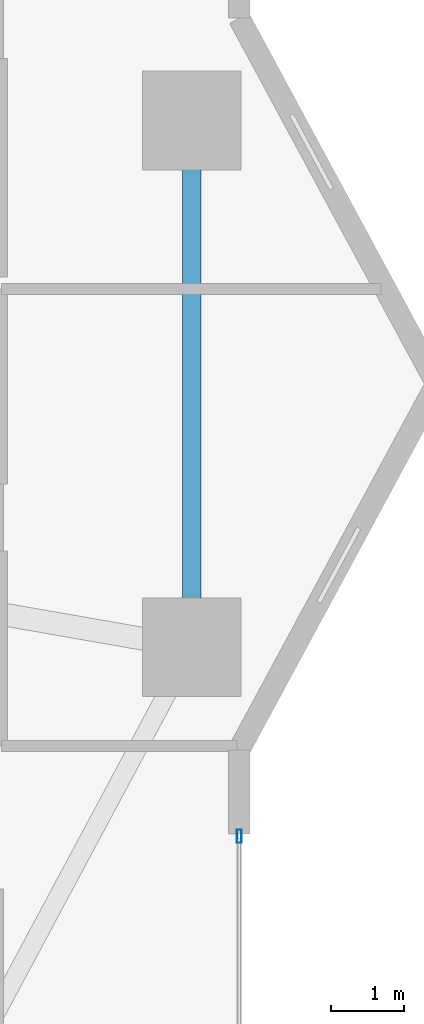
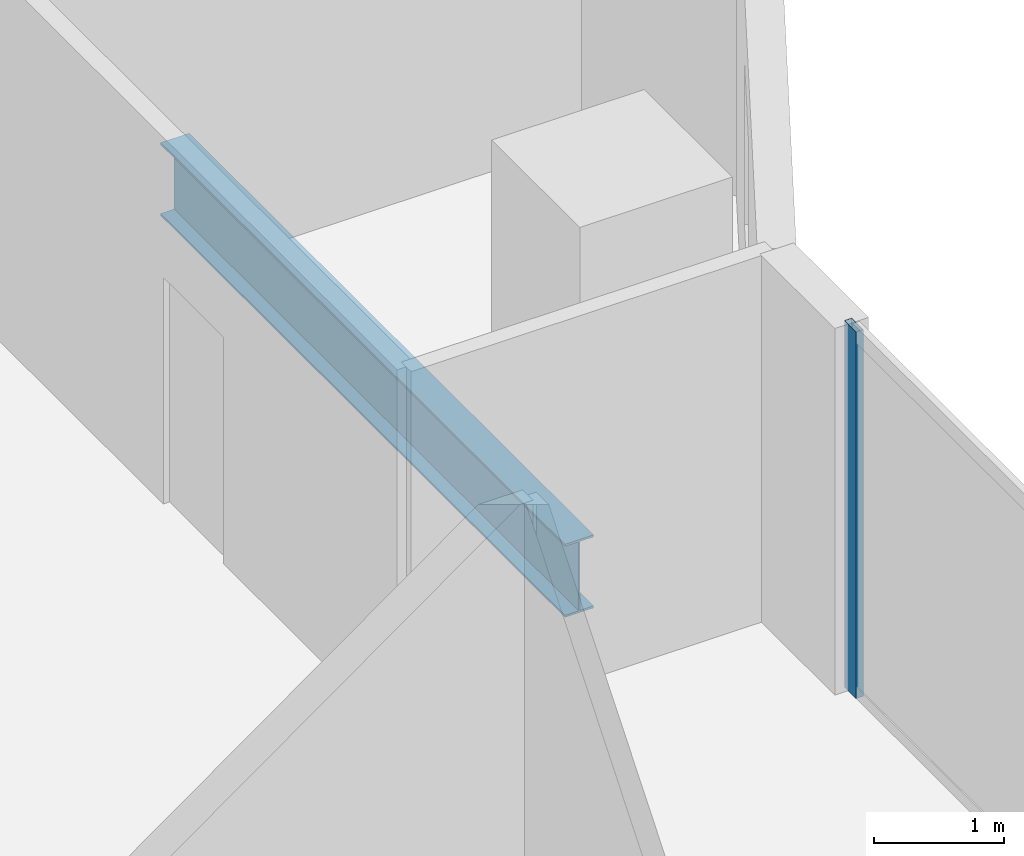
# One storey, part 13 of 30: 1 beam, 1 member, 1 element without a shape of its own.
"""IFC4 building model written with IfcOpenShell, lengths in metres."""

from ifc_helpers import new_model, si_unit, direction, frame, origin, origin_2d, place, context, subcontext, project, spatial, hollow_rectangle, i_section, extrude, material, layer, layer_set, material_profile, profile_set, type_object, element, aggregate, save


model = new_model("IFC4")

# Units and contexts
model_context = context("Model", 3, precision=1e-05, world=origin(), true_north=direction((0.0, 1.0)))
body_context = subcontext(model_context, "Body", "Model", "MODEL_VIEW")
ifc_project = project(units=[si_unit("LENGTHUNIT", "METRE"), si_unit("AREAUNIT", "SQUARE_METRE"), si_unit("VOLUMEUNIT", "CUBIC_METRE"), si_unit("PLANEANGLEUNIT", "RADIAN"), si_unit("MASSUNIT", "GRAM", prefix="KILO")], contexts=[model_context])

# Site, building, storey
site_placement = place(None, origin())
site = spatial("IfcSite", under=ifc_project, at=site_placement, CompositionType="ELEMENT")
building_placement = place(site_placement, origin())
building = spatial("IfcBuilding", under=site, at=building_placement, Name="Zuhayl Quay Hotel", CompositionType="ELEMENT")
storey_placement = place(building_placement, frame((0.0, 0.0, 135.800048828125)))
storey = spatial("IfcBuildingStorey", under=building, at=storey_placement, Name="L34", CompositionType="ELEMENT", Elevation=135.800048828125)

# Beam
ifc_material_1 = material(Name="Steel ASTM A992 Grade 50", Category="steel")
ifc_material_profile_1 = material_profile(ifc_material_1, i_section(OverallWidth=0.25390625, OverallDepth=0.68310546875, WebThickness=0.012451171875, FlangeThickness=0.018798828125, at=origin_2d()), Name="W27X94")
ifc_profile_set_1 = profile_set([ifc_material_profile_1], Name="Steel ASTM A992 Grade 50")
beam_type = type_object("IfcBeamType", Name="BM_B2_W27X94", PredefinedType="BEAM", material=ifc_profile_set_1)
beam_placement = place(storey_placement, frame((23.25, 3.39990234375, -0.5615234375), z_axis=(0.0, 1.0, 0.0), x_axis=(-1.0, 0.0, 0.0)))
element("IfcBeam", 1, at=beam_placement, inside=storey, type_object=beam_type, Name="L34 Floor Beam RG_L34_05", PredefinedType="BEAM", context=body_context, shape_type="SweptSolid", body=[
    extrude(i_section(OverallWidth=0.25390625, OverallDepth=0.68310546875, WebThickness=0.012451171875, FlangeThickness=0.018798828125, at=origin_2d()), origin(), (0.0, 0.0, 1.0), 6.2001953125),
])

# Curtain wall, member
ifc_material_2 = material(Name="Anodised Aluminium 6063-T6", Category="aluminium")
ifc_layer = layer(ifc_material_2, 0.179931640625, Name="Anodised Aluminium 6063-T6", Category="aluminium")
ifc_layer_set = layer_set([ifc_layer], Name="Anodised Aluminium 6063-T6")
curtain_wall_type = type_object("IfcCurtainWallType", Name="CW_SYS_Z2", PredefinedType="USERDEFINED", material=ifc_layer_set)
curtain_wall_placement = place(storey_placement, origin())
curtain_wall = element("IfcCurtainWall", 2, at=curtain_wall_placement, inside=storey, type_object=curtain_wall_type, Name="L34 Curtain Wall ENV_L34_E14_CW1", ObjectType="UNITISED CURTAIN WALL", PredefinedType="USERDEFINED")
ifc_material_3 = material(Name="Black-anodised aluminium 6063-T6", Category="aluminium")
ifc_material_profile_2 = material_profile(ifc_material_3, hollow_rectangle(XDim=0.06494140625, YDim=0.179931640625, WallThickness=0.00341796875, at=origin_2d()), Name="ALU180X65")
ifc_profile_set_2 = profile_set([ifc_material_profile_2], Name="Black-anodised aluminium 6063-T6")
member_type = type_object("IfcMemberType", Name="MB_CW_MUL_180", PredefinedType="MULLION", material=ifc_profile_set_2)
member_placement = place(storey_placement, frame((23.89990234375, 0.3173828125, 0.0), z_axis=(0.0, 0.0, 1.0), x_axis=(1.0, 0.0, 0.0)))
member = element("IfcMember", 3, at=member_placement, type_object=member_type, Name="CW-Z2 mullion 1", PredefinedType="MULLION", context=body_context, shape_type="SweptSolid", body=[
    extrude(hollow_rectangle(XDim=0.06494140625, YDim=0.179931640625, WallThickness=0.00341796875, at=origin_2d()), origin(), (0.0, 0.0, 1.0), 3.429931640625),
])
aggregate(curtain_wall, [member])

save(model, "model.ifc")
